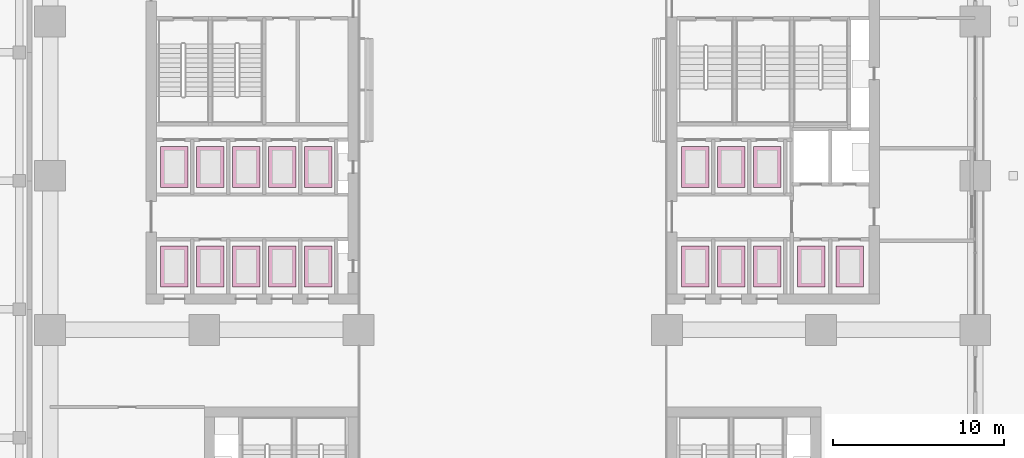
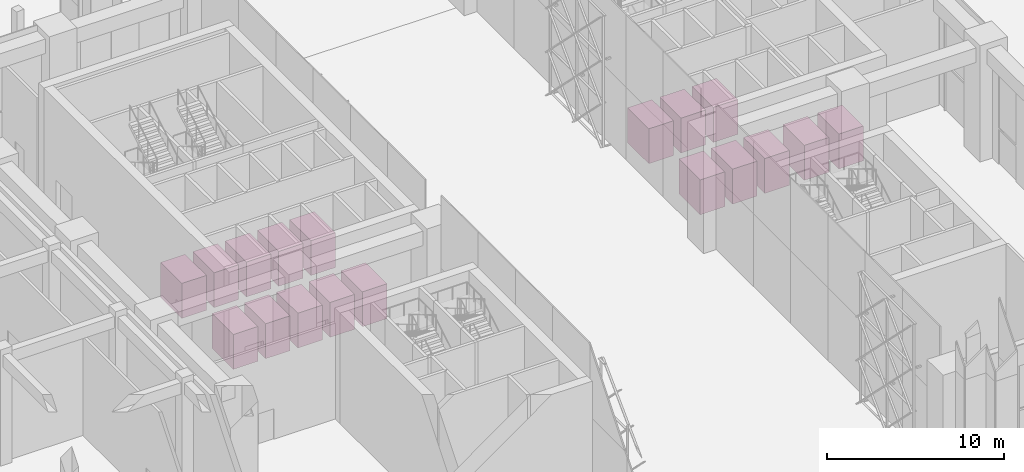
# One storey, part 64 of 64: 18 transport elements.
"""IFC4 building model written with IfcOpenShell, lengths in metres."""

from ifc_helpers import new_model, si_unit, direction, frame, origin, origin_2d, place, context, subcontext, project, spatial, rectangle, extrude, material, type_object, element, save


model = new_model("IFC4")

# Units and contexts
model_context = context("Model", 3, precision=1e-05, world=origin(), true_north=direction((0.0, 1.0)))
body_context = subcontext(model_context, "Body", "Model", "MODEL_VIEW")
ifc_project = project(units=[si_unit("LENGTHUNIT", "METRE"), si_unit("AREAUNIT", "SQUARE_METRE"), si_unit("VOLUMEUNIT", "CUBIC_METRE"), si_unit("PLANEANGLEUNIT", "RADIAN"), si_unit("MASSUNIT", "GRAM", prefix="KILO")], contexts=[model_context])

# Site, building, storey
site_placement = place(None, origin())
site = spatial("IfcSite", under=ifc_project, at=site_placement, CompositionType="ELEMENT")
building_placement = place(site_placement, origin())
building = spatial("IfcBuilding", under=site, at=building_placement, Name="Tessera Arch", CompositionType="ELEMENT")
storey_placement = place(building_placement, origin())
storey = spatial("IfcBuildingStorey", under=building, at=storey_placement, Name="L00", CompositionType="ELEMENT", Elevation=0.0)

# Transport elements
ifc_material = material(Name="Steel car enclosure", Category="steel")
transport_element_type = type_object("IfcTransportElementType", Name="Car 1600 x 2400", PredefinedType="ELEVATOR", material=ifc_material)
for number, where, z_axis, x_axis, name in (
    (1, (44.425048828125, 30.699951171875, 0.0), (0.0, 0.0, 1.0), (1.0, 0.0, 0.0), "FF1"),
    (2, (46.675048828125, 30.699951171875, 0.0), (0.0, 0.0, 1.0), (1.0, 0.0, 0.0), "FF2"),
    (3, (37.64990234375, 30.699951171875, 0.0), (0.0, 0.0, 1.0), (1.0, 0.0, 0.0), "HR1"),
    (4, (39.75, 30.699951171875, 0.0), (0.0, 0.0, 1.0), (1.0, 0.0, 0.0), "HR2"),
    (5, (41.85009765625, 30.699951171875, 0.0), (0.0, 0.0, 1.0), (1.0, 0.0, 0.0), "HR3"),
    (6, (37.64990234375, 36.5, 0.0), (0.0, 0.0, 1.0), (1.0, 0.0, 0.0), "HR4"),
    (7, (39.75, 36.5, 0.0), (0.0, 0.0, 1.0), (1.0, 0.0, 0.0), "HR5"),
    (8, (41.85009765625, 36.5, 0.0), (0.0, 0.0, 1.0), (1.0, 0.0, 0.0), "HR6"),
    (9, (15.64990234375, 30.699951171875, 0.0), (0.0, 0.0, 1.0), (1.0, 0.0, 0.0), "HR7"),
    (10, (15.64990234375, 36.5, 0.0), (0.0, 0.0, 1.0), (1.0, 0.0, 0.0), "HR8"),
    (11, (7.25, 30.699951171875, 0.0), (0.0, 0.0, 1.0), (1.0, 0.0, 0.0), "LR1"),
    (12, (9.35009765625, 30.699951171875, 0.0), (0.0, 0.0, 1.0), (1.0, 0.0, 0.0), "LR2"),
    (13, (11.449951171875, 30.699951171875, 0.0), (0.0, 0.0, 1.0), (1.0, 0.0, 0.0), "LR3"),
    (14, (13.550048828125, 30.699951171875, 0.0), (0.0, 0.0, 1.0), (1.0, 0.0, 0.0), "LR4"),
    (15, (7.25, 36.5, 0.0), (0.0, 0.0, 1.0), (1.0, 0.0, 0.0), "LR5"),
    (16, (9.35009765625, 36.5, 0.0), (0.0, 0.0, 1.0), (1.0, 0.0, 0.0), "LR6"),
    (17, (11.449951171875, 36.5, 0.0), (0.0, 0.0, 1.0), (1.0, 0.0, 0.0), "LR7"),
    (18, (13.550048828125, 36.5, 0.0), (0.0, 0.0, 1.0), (1.0, 0.0, 0.0), "LR8"),
):
    element("IfcTransportElement", number, at=place(storey_placement, frame(where, z_axis=z_axis, x_axis=x_axis)), inside=storey, type_object=transport_element_type, Name=name, PredefinedType="ELEVATOR", context=body_context, shape_type="SweptSolid", body=[
        extrude(rectangle(XDim=1.60009765625, YDim=2.39990234375, at=origin_2d()), origin(), (0.0, 0.0, 1.0), 2.39990234375),
    ])

save(model, "model.ifc")
